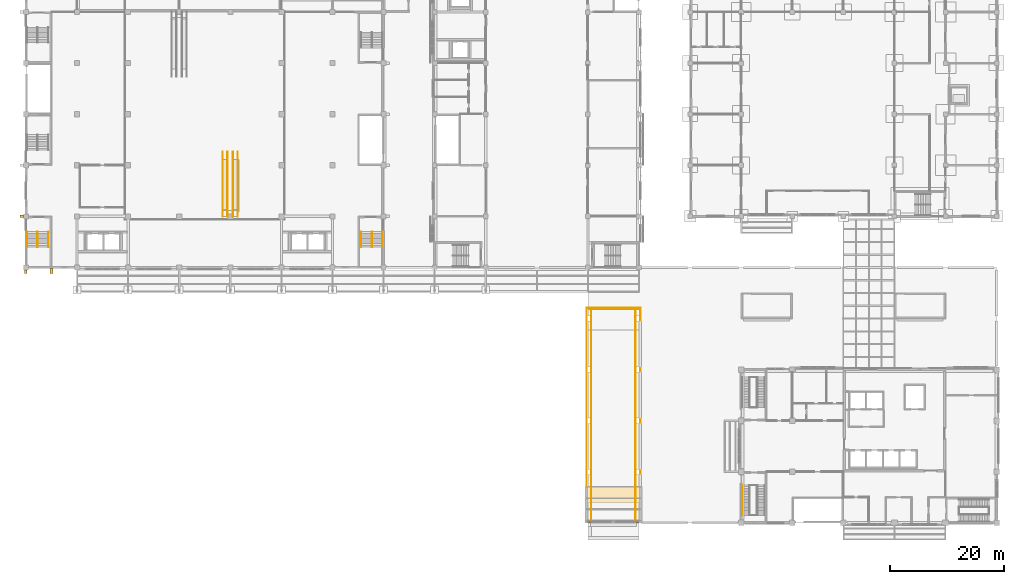
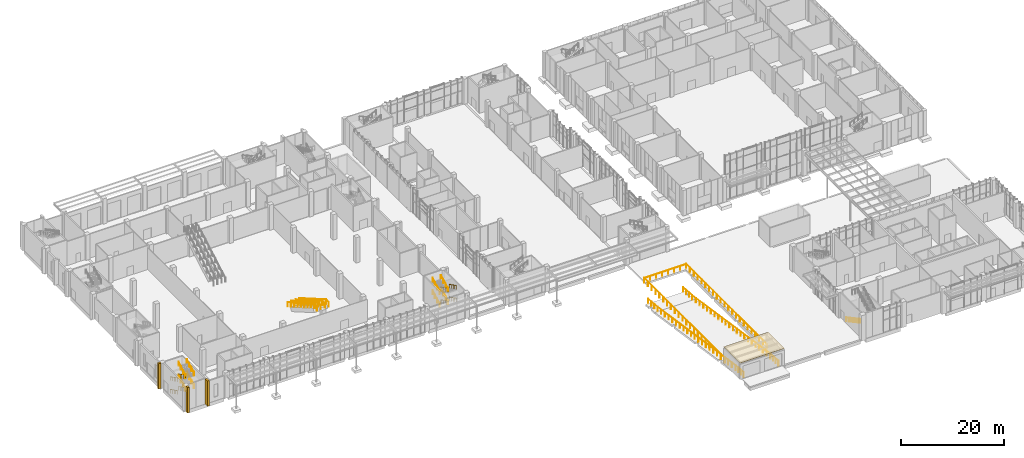
# One storey, part 77 of 86: 24 railings, 4 coverings.
"""IFC4 building model written with IfcOpenShell, lengths in metres."""

from ifc_helpers import new_model, si_unit, direction, frame, origin, origin_2d, place, context, subcontext, project, spatial, rectangle, circle, extrude, material, layer, layer_set, type_object, element, save


model = new_model("IFC4")

# Units and contexts
model_context = context("Model", 3, precision=1e-05, world=origin(), true_north=direction((0.0, 1.0)))
body_context = subcontext(model_context, "Body", "Model", "MODEL_VIEW")
ifc_project = project(units=[si_unit("LENGTHUNIT", "METRE"), si_unit("AREAUNIT", "SQUARE_METRE"), si_unit("VOLUMEUNIT", "CUBIC_METRE"), si_unit("PLANEANGLEUNIT", "RADIAN"), si_unit("MASSUNIT", "GRAM", prefix="KILO")], contexts=[model_context])

# Site, building, storey
site_placement = place(None, origin())
site = spatial("IfcSite", under=ifc_project, at=site_placement, CompositionType="ELEMENT")
building_placement = place(site_placement, origin())
building = spatial("IfcBuilding", under=site, at=building_placement, Name="Guidao Yard Department Store", CompositionType="ELEMENT")
storey_placement = place(building_placement, origin())
storey = spatial("IfcBuildingStorey", under=building, at=storey_placement, Name="L00", CompositionType="ELEMENT", Elevation=0.0)

# Covering
ifc_material_1 = material(Name="Steel Q235", Category="steel")
ifc_layer_1 = layer(ifc_material_1, 0.06005859375)
ifc_layer_set_1 = layer_set([ifc_layer_1], Name="Canopy roofing panel CR1 galvanised insulated metal deck 60")
covering_type_1 = type_object("IfcCoveringType", Name="Canopy roofing panel CR1 galvanised insulated metal deck 60", PredefinedType="ROOFING", material=ifc_layer_set_1)
covering_1_placement = place(storey_placement, frame((103.5, 3.199951171875, 3.89990234375), z_axis=(0.0, 0.0, 1.0), x_axis=(1.0, 0.0, 0.0)))
element("IfcCovering", 1, at=covering_1_placement, inside=storey, type_object=covering_type_1, Name="Ramp A canopy covering", PredefinedType="ROOFING", context=body_context, shape_type="SweptSolid", body=[
    extrude(rectangle(XDim=10.0, YDim=6.39990234375, at=origin_2d()), origin(), (0.0, 0.0, 1.0), 0.06005859375),
])

# Railings
ifc_material_2 = material(Name="Laminated glass", Category="glass")
railing_type_1 = type_object("IfcRailingType", Name="Escalator balustrade glass 1100", PredefinedType="BALUSTRADE", material=ifc_material_2)
for number, where, name in (
    (2, (34.679931640625, 65.39990234375, 0.0), "Escalator EH2 up balustrade"),
    (3, (35.52001953125, 65.39990234375, 0.0), "Escalator EH2 up balustrade"),
    (4, (36.47998046875, 65.39990234375, 0.0), "Escalator EH2 down balustrade"),
    (5, (37.320068359375, 65.39990234375, 0.0), "Escalator EH2 down balustrade"),
):
    element("IfcRailing", number, at=place(storey_placement, frame(where)), inside=storey, type_object=railing_type_1, Name=name, PredefinedType="BALUSTRADE", context=body_context, shape_type="SweptSolid", body=[
        extrude(circle(Radius=0.030029296875, at=origin_2d()), frame((0.0, 0.0, 1.070068359375), z_axis=(0.0, -0.866015837845, 0.500016568328), x_axis=(1.0, 0.0, 0.0)), (0.0, 0.0, 1.0), 11.99951171875),
        extrude(circle(Radius=0.030029296875, at=origin_2d()), frame((0.0, -10.391845703125, 7.070068359375), z_axis=(0.0, -1.0, 0.0), x_axis=(1.0, 0.0, 0.0)), (0.0, 0.0, 1.0), 1.008056640625),
        extrude(circle(Radius=0.02490234375, at=origin_2d()), origin(), (0.0, 0.0, 1.0), 1.0400390625),
        extrude(circle(Radius=0.02490234375, at=origin_2d()), frame((0.0, -1.299072265625, 0.75)), (0.0, 0.0, 1.0), 1.0400390625),
        extrude(circle(Radius=0.02490234375, at=origin_2d()), frame((0.0, -2.597900390625, 1.5)), (0.0, 0.0, 1.0), 1.0400390625),
        extrude(circle(Radius=0.02490234375, at=origin_2d()), frame((0.0, -3.89697265625, 2.25)), (0.0, 0.0, 1.0), 1.0400390625),
        extrude(circle(Radius=0.02490234375, at=origin_2d()), frame((0.0, -5.19580078125, 3.0)), (0.0, 0.0, 1.0), 1.0400390625),
        extrude(circle(Radius=0.02490234375, at=origin_2d()), frame((0.0, -6.494873046875, 3.75)), (0.0, 0.0, 1.0), 1.0400390625),
        extrude(circle(Radius=0.02490234375, at=origin_2d()), frame((0.0, -7.7939453125, 4.5)), (0.0, 0.0, 1.0), 1.0400390625),
        extrude(circle(Radius=0.02490234375, at=origin_2d()), frame((0.0, -9.0927734375, 5.25)), (0.0, 0.0, 1.0), 1.0400390625),
        extrude(circle(Radius=0.02490234375, at=origin_2d()), frame((0.0, -10.391845703125, 6.0)), (0.0, 0.0, 1.0), 1.0400390625),
        extrude(circle(Radius=0.02490234375, at=origin_2d()), frame((0.0, -11.39990234375, 6.0)), (0.0, 0.0, 1.0), 1.0400390625),
    ])
ifc_material_3 = material(Name="Steel Q235", Category="steel")
railing_type_2 = type_object("IfcRailingType", Name="Guard steel balustrade 1100", PredefinedType="GUARDRAIL", material=ifc_material_3)
railing_1_placement = place(storey_placement, frame((99.60009765625, 0.5, -0.03759765625)))
element("IfcRailing", 6, at=railing_1_placement, inside=storey, type_object=railing_type_2, Name="Car ramp A guard W", PredefinedType="GUARDRAIL", context=body_context, shape_type="SweptSolid", body=[
    extrude(circle(Radius=0.02392578125, at=origin_2d()), frame((0.0, 0.0, 1.076171875), z_axis=(0.0, 0.997201359452, -0.074762615703), x_axis=(-1.0, 0.0, 0.0)), (0.0, 0.0, 1.0), 3.10888671875),
    extrude(circle(Radius=0.02392578125, at=origin_2d()), frame((0.0, 3.10009765625, 0.84375), z_axis=(0.0, 0.988936003335, -0.148342783134), x_axis=(-1.0, 0.0, 0.0)), (0.0, 0.0, 1.0), 30.739990234375),
    extrude(circle(Radius=0.02392578125, at=origin_2d()), frame((0.0, 33.5, -3.71630859375), z_axis=(0.0, 0.997199057707, -0.074793310581), x_axis=(-1.0, 0.0, 0.0)), (0.0, 0.0, 1.0), 3.610107421875),
    extrude(circle(Radius=0.02099609375, at=origin_2d()), origin(), (0.0, 0.0, 1.0), 1.052001953125),
    extrude(circle(Radius=0.02099609375, at=origin_2d()), frame((0.0, 1.033447265625, -0.077392578125)), (0.0, 0.0, 1.0), 1.052001953125),
    extrude(circle(Radius=0.02099609375, at=origin_2d()), frame((0.0, 2.066650390625, -0.155029296875)), (0.0, 0.0, 1.0), 1.052001953125),
    extrude(circle(Radius=0.02099609375, at=origin_2d()), frame((0.0, 3.10009765625, -0.232421875)), (0.0, 0.0, 1.0), 1.052001953125),
    extrude(circle(Radius=0.02099609375, at=origin_2d()), frame((0.0, 4.547607421875, -0.449462890625)), (0.0, 0.0, 1.0), 1.052001953125),
    extrude(circle(Radius=0.02099609375, at=origin_2d()), frame((0.0, 5.995361328125, -0.666748046875)), (0.0, 0.0, 1.0), 1.052001953125),
    extrude(circle(Radius=0.02099609375, at=origin_2d()), frame((0.0, 7.44287109375, -0.8837890625)), (0.0, 0.0, 1.0), 1.052001953125),
    extrude(circle(Radius=0.02099609375, at=origin_2d()), frame((0.0, 8.890625, -1.10107421875)), (0.0, 0.0, 1.0), 1.052001953125),
    extrude(circle(Radius=0.02099609375, at=origin_2d()), frame((0.0, 10.338134765625, -1.318115234375)), (0.0, 0.0, 1.0), 1.052001953125),
    extrude(circle(Radius=0.02099609375, at=origin_2d()), frame((0.0, 11.785888671875, -1.535400390625)), (0.0, 0.0, 1.0), 1.052001953125),
    extrude(circle(Radius=0.02099609375, at=origin_2d()), frame((0.0, 13.2333984375, -1.75244140625)), (0.0, 0.0, 1.0), 1.052001953125),
    extrude(circle(Radius=0.02099609375, at=origin_2d()), frame((0.0, 14.680908203125, -1.969482421875)), (0.0, 0.0, 1.0), 1.052001953125),
    extrude(circle(Radius=0.02099609375, at=origin_2d()), frame((0.0, 16.128662109375, -2.186767578125)), (0.0, 0.0, 1.0), 1.052001953125),
    extrude(circle(Radius=0.02099609375, at=origin_2d()), frame((0.0, 17.576171875, -2.40380859375)), (0.0, 0.0, 1.0), 1.052001953125),
    extrude(circle(Radius=0.02099609375, at=origin_2d()), frame((0.0, 19.02392578125, -2.62109375)), (0.0, 0.0, 1.0), 1.052001953125),
    extrude(circle(Radius=0.02099609375, at=origin_2d()), frame((0.0, 20.471435546875, -2.838134765625)), (0.0, 0.0, 1.0), 1.052001953125),
    extrude(circle(Radius=0.02099609375, at=origin_2d()), frame((0.0, 21.919189453125, -3.055419921875)), (0.0, 0.0, 1.0), 1.052001953125),
    extrude(circle(Radius=0.02099609375, at=origin_2d()), frame((0.0, 23.36669921875, -3.2724609375)), (0.0, 0.0, 1.0), 1.052001953125),
    extrude(circle(Radius=0.02099609375, at=origin_2d()), frame((0.0, 24.814208984375, -3.489501953125)), (0.0, 0.0, 1.0), 1.052001953125),
    extrude(circle(Radius=0.02099609375, at=origin_2d()), frame((0.0, 26.261962890625, -3.706787109375)), (0.0, 0.0, 1.0), 1.052001953125),
    extrude(circle(Radius=0.02099609375, at=origin_2d()), frame((0.0, 27.70947265625, -3.923828125)), (0.0, 0.0, 1.0), 1.052001953125),
    extrude(circle(Radius=0.02099609375, at=origin_2d()), frame((0.0, 29.1572265625, -4.14111328125)), (0.0, 0.0, 1.0), 1.052001953125),
    extrude(circle(Radius=0.02099609375, at=origin_2d()), frame((0.0, 30.604736328125, -4.358154296875)), (0.0, 0.0, 1.0), 1.052001953125),
    extrude(circle(Radius=0.02099609375, at=origin_2d()), frame((0.0, 32.052490234375, -4.575439453125)), (0.0, 0.0, 1.0), 1.052001953125),
    extrude(circle(Radius=0.02099609375, at=origin_2d()), frame((0.0, 33.5, -4.79248046875)), (0.0, 0.0, 1.0), 1.052001953125),
    extrude(circle(Radius=0.02099609375, at=origin_2d()), frame((0.0, 34.699951171875, -4.882568359375)), (0.0, 0.0, 1.0), 1.052001953125),
    extrude(circle(Radius=0.02099609375, at=origin_2d()), frame((0.0, 35.900146484375, -4.972412109375)), (0.0, 0.0, 1.0), 1.052001953125),
    extrude(circle(Radius=0.02099609375, at=origin_2d()), frame((0.0, 37.10009765625, -5.0625)), (0.0, 0.0, 1.0), 1.052001953125),
])
railing_2_placement = place(storey_placement, frame((107.39990234375, 0.5, -0.03759765625)))
element("IfcRailing", 7, at=railing_2_placement, inside=storey, type_object=railing_type_2, Name="Car ramp A guard E", PredefinedType="GUARDRAIL", context=body_context, shape_type="SweptSolid", body=[
    extrude(circle(Radius=0.02392578125, at=origin_2d()), frame((0.0, 0.0, 1.076171875), z_axis=(0.0, 0.997201359452, -0.074762615703), x_axis=(-1.0, 0.0, 0.0)), (0.0, 0.0, 1.0), 3.10888671875),
    extrude(circle(Radius=0.02392578125, at=origin_2d()), frame((0.0, 3.10009765625, 0.84375), z_axis=(0.0, 0.988936003335, -0.148342783134), x_axis=(-1.0, 0.0, 0.0)), (0.0, 0.0, 1.0), 30.739990234375),
    extrude(circle(Radius=0.02392578125, at=origin_2d()), frame((0.0, 33.5, -3.71630859375), z_axis=(0.0, 0.997199057707, -0.074793310581), x_axis=(-1.0, 0.0, 0.0)), (0.0, 0.0, 1.0), 3.610107421875),
    extrude(circle(Radius=0.02099609375, at=origin_2d()), origin(), (0.0, 0.0, 1.0), 1.052001953125),
    extrude(circle(Radius=0.02099609375, at=origin_2d()), frame((0.0, 1.033447265625, -0.077392578125)), (0.0, 0.0, 1.0), 1.052001953125),
    extrude(circle(Radius=0.02099609375, at=origin_2d()), frame((0.0, 2.066650390625, -0.155029296875)), (0.0, 0.0, 1.0), 1.052001953125),
    extrude(circle(Radius=0.02099609375, at=origin_2d()), frame((0.0, 3.10009765625, -0.232421875)), (0.0, 0.0, 1.0), 1.052001953125),
    extrude(circle(Radius=0.02099609375, at=origin_2d()), frame((0.0, 4.547607421875, -0.449462890625)), (0.0, 0.0, 1.0), 1.052001953125),
    extrude(circle(Radius=0.02099609375, at=origin_2d()), frame((0.0, 5.995361328125, -0.666748046875)), (0.0, 0.0, 1.0), 1.052001953125),
    extrude(circle(Radius=0.02099609375, at=origin_2d()), frame((0.0, 7.44287109375, -0.8837890625)), (0.0, 0.0, 1.0), 1.052001953125),
    extrude(circle(Radius=0.02099609375, at=origin_2d()), frame((0.0, 8.890625, -1.10107421875)), (0.0, 0.0, 1.0), 1.052001953125),
    extrude(circle(Radius=0.02099609375, at=origin_2d()), frame((0.0, 10.338134765625, -1.318115234375)), (0.0, 0.0, 1.0), 1.052001953125),
    extrude(circle(Radius=0.02099609375, at=origin_2d()), frame((0.0, 11.785888671875, -1.535400390625)), (0.0, 0.0, 1.0), 1.052001953125),
    extrude(circle(Radius=0.02099609375, at=origin_2d()), frame((0.0, 13.2333984375, -1.75244140625)), (0.0, 0.0, 1.0), 1.052001953125),
    extrude(circle(Radius=0.02099609375, at=origin_2d()), frame((0.0, 14.680908203125, -1.969482421875)), (0.0, 0.0, 1.0), 1.052001953125),
    extrude(circle(Radius=0.02099609375, at=origin_2d()), frame((0.0, 16.128662109375, -2.186767578125)), (0.0, 0.0, 1.0), 1.052001953125),
    extrude(circle(Radius=0.02099609375, at=origin_2d()), frame((0.0, 17.576171875, -2.40380859375)), (0.0, 0.0, 1.0), 1.052001953125),
    extrude(circle(Radius=0.02099609375, at=origin_2d()), frame((0.0, 19.02392578125, -2.62109375)), (0.0, 0.0, 1.0), 1.052001953125),
    extrude(circle(Radius=0.02099609375, at=origin_2d()), frame((0.0, 20.471435546875, -2.838134765625)), (0.0, 0.0, 1.0), 1.052001953125),
    extrude(circle(Radius=0.02099609375, at=origin_2d()), frame((0.0, 21.919189453125, -3.055419921875)), (0.0, 0.0, 1.0), 1.052001953125),
    extrude(circle(Radius=0.02099609375, at=origin_2d()), frame((0.0, 23.36669921875, -3.2724609375)), (0.0, 0.0, 1.0), 1.052001953125),
    extrude(circle(Radius=0.02099609375, at=origin_2d()), frame((0.0, 24.814208984375, -3.489501953125)), (0.0, 0.0, 1.0), 1.052001953125),
    extrude(circle(Radius=0.02099609375, at=origin_2d()), frame((0.0, 26.261962890625, -3.706787109375)), (0.0, 0.0, 1.0), 1.052001953125),
    extrude(circle(Radius=0.02099609375, at=origin_2d()), frame((0.0, 27.70947265625, -3.923828125)), (0.0, 0.0, 1.0), 1.052001953125),
    extrude(circle(Radius=0.02099609375, at=origin_2d()), frame((0.0, 29.1572265625, -4.14111328125)), (0.0, 0.0, 1.0), 1.052001953125),
    extrude(circle(Radius=0.02099609375, at=origin_2d()), frame((0.0, 30.604736328125, -4.358154296875)), (0.0, 0.0, 1.0), 1.052001953125),
    extrude(circle(Radius=0.02099609375, at=origin_2d()), frame((0.0, 32.052490234375, -4.575439453125)), (0.0, 0.0, 1.0), 1.052001953125),
    extrude(circle(Radius=0.02099609375, at=origin_2d()), frame((0.0, 33.5, -4.79248046875)), (0.0, 0.0, 1.0), 1.052001953125),
    extrude(circle(Radius=0.02099609375, at=origin_2d()), frame((0.0, 34.699951171875, -4.882568359375)), (0.0, 0.0, 1.0), 1.052001953125),
    extrude(circle(Radius=0.02099609375, at=origin_2d()), frame((0.0, 35.900146484375, -4.972412109375)), (0.0, 0.0, 1.0), 1.052001953125),
    extrude(circle(Radius=0.02099609375, at=origin_2d()), frame((0.0, 37.10009765625, -5.0625)), (0.0, 0.0, 1.0), 1.052001953125),
])
railing_3_placement = place(storey_placement, frame((98.800048828125, 6.449951171875, 0.0)))
element("IfcRailing", 8, at=railing_3_placement, inside=storey, type_object=railing_type_2, Name="Guard ramp A L00", PredefinedType="GUARDRAIL", context=body_context, shape_type="SweptSolid", body=[
    extrude(circle(Radius=0.02392578125, at=origin_2d()), frame((0.0, 0.0, 1.076171875), z_axis=(0.0, 1.0, 0.0), x_axis=(-1.0, 0.0, 0.0)), (0.0, 0.0, 1.0), 31.400146484375),
    extrude(circle(Radius=0.02392578125, at=origin_2d()), frame((0.0, 31.400146484375, 1.076171875), z_axis=(1.0, 0.0, 0.0), x_axis=(0.0, 1.0, 0.0)), (0.0, 0.0, 1.0), 9.449951171875),
    extrude(circle(Radius=0.02392578125, at=origin_2d()), frame((9.449951171875, 31.400146484375, 1.076171875), z_axis=(0.0, -1.0, 0.0), x_axis=(1.0, 0.0, 0.0)), (0.0, 0.0, 1.0), 31.400146484375),
    extrude(circle(Radius=0.02099609375, at=origin_2d()), origin(), (0.0, 0.0, 1.0), 1.052001953125),
    extrude(circle(Radius=0.02099609375, at=origin_2d()), frame((0.0, 1.495361328125, 0.0)), (0.0, 0.0, 1.0), 1.052001953125),
    extrude(circle(Radius=0.02099609375, at=origin_2d()), frame((0.0, 2.990478515625, 0.0)), (0.0, 0.0, 1.0), 1.052001953125),
    extrude(circle(Radius=0.02099609375, at=origin_2d()), frame((0.0, 4.48583984375, 0.0)), (0.0, 0.0, 1.0), 1.052001953125),
    extrude(circle(Radius=0.02099609375, at=origin_2d()), frame((0.0, 5.98095703125, 0.0)), (0.0, 0.0, 1.0), 1.052001953125),
    extrude(circle(Radius=0.02099609375, at=origin_2d()), frame((0.0, 7.476318359375, 0.0)), (0.0, 0.0, 1.0), 1.052001953125),
    extrude(circle(Radius=0.02099609375, at=origin_2d()), frame((0.0, 8.971435546875, 0.0)), (0.0, 0.0, 1.0), 1.052001953125),
    extrude(circle(Radius=0.02099609375, at=origin_2d()), frame((0.0, 10.466796875, 0.0)), (0.0, 0.0, 1.0), 1.052001953125),
    extrude(circle(Radius=0.02099609375, at=origin_2d()), frame((0.0, 11.9619140625, 0.0)), (0.0, 0.0, 1.0), 1.052001953125),
    extrude(circle(Radius=0.02099609375, at=origin_2d()), frame((0.0, 13.457275390625, 0.0)), (0.0, 0.0, 1.0), 1.052001953125),
    extrude(circle(Radius=0.02099609375, at=origin_2d()), frame((0.0, 14.952392578125, 0.0)), (0.0, 0.0, 1.0), 1.052001953125),
    extrude(circle(Radius=0.02099609375, at=origin_2d()), frame((0.0, 16.44775390625, 0.0)), (0.0, 0.0, 1.0), 1.052001953125),
    extrude(circle(Radius=0.02099609375, at=origin_2d()), frame((0.0, 17.94287109375, 0.0)), (0.0, 0.0, 1.0), 1.052001953125),
    extrude(circle(Radius=0.02099609375, at=origin_2d()), frame((0.0, 19.438232421875, 0.0)), (0.0, 0.0, 1.0), 1.052001953125),
    extrude(circle(Radius=0.02099609375, at=origin_2d()), frame((0.0, 20.933349609375, 0.0)), (0.0, 0.0, 1.0), 1.052001953125),
    extrude(circle(Radius=0.02099609375, at=origin_2d()), frame((0.0, 22.4287109375, 0.0)), (0.0, 0.0, 1.0), 1.052001953125),
    extrude(circle(Radius=0.02099609375, at=origin_2d()), frame((0.0, 23.923828125, 0.0)), (0.0, 0.0, 1.0), 1.052001953125),
    extrude(circle(Radius=0.02099609375, at=origin_2d()), frame((0.0, 25.419189453125, 0.0)), (0.0, 0.0, 1.0), 1.052001953125),
    extrude(circle(Radius=0.02099609375, at=origin_2d()), frame((0.0, 26.914306640625, 0.0)), (0.0, 0.0, 1.0), 1.052001953125),
    extrude(circle(Radius=0.02099609375, at=origin_2d()), frame((0.0, 28.40966796875, 0.0)), (0.0, 0.0, 1.0), 1.052001953125),
    extrude(circle(Radius=0.02099609375, at=origin_2d()), frame((0.0, 29.90478515625, 0.0)), (0.0, 0.0, 1.0), 1.052001953125),
    extrude(circle(Radius=0.02099609375, at=origin_2d()), frame((0.0, 31.400146484375, 0.0)), (0.0, 0.0, 1.0), 1.052001953125),
    extrude(circle(Radius=0.02099609375, at=origin_2d()), frame((1.35009765625, 31.400146484375, 0.0)), (0.0, 0.0, 1.0), 1.052001953125),
    extrude(circle(Radius=0.02099609375, at=origin_2d()), frame((2.699951171875, 31.400146484375, 0.0)), (0.0, 0.0, 1.0), 1.052001953125),
    extrude(circle(Radius=0.02099609375, at=origin_2d()), frame((4.050048828125, 31.400146484375, 0.0)), (0.0, 0.0, 1.0), 1.052001953125),
    extrude(circle(Radius=0.02099609375, at=origin_2d()), frame((5.39990234375, 31.400146484375, 0.0)), (0.0, 0.0, 1.0), 1.052001953125),
    extrude(circle(Radius=0.02099609375, at=origin_2d()), frame((6.75, 31.400146484375, 0.0)), (0.0, 0.0, 1.0), 1.052001953125),
    extrude(circle(Radius=0.02099609375, at=origin_2d()), frame((8.099853515625, 31.400146484375, 0.0)), (0.0, 0.0, 1.0), 1.052001953125),
    extrude(circle(Radius=0.02099609375, at=origin_2d()), frame((9.449951171875, 31.400146484375, 0.0)), (0.0, 0.0, 1.0), 1.052001953125),
    extrude(circle(Radius=0.02099609375, at=origin_2d()), frame((9.449951171875, 29.90478515625, 0.0)), (0.0, 0.0, 1.0), 1.052001953125),
    extrude(circle(Radius=0.02099609375, at=origin_2d()), frame((9.449951171875, 28.40966796875, 0.0)), (0.0, 0.0, 1.0), 1.052001953125),
    extrude(circle(Radius=0.02099609375, at=origin_2d()), frame((9.449951171875, 26.914306640625, 0.0)), (0.0, 0.0, 1.0), 1.052001953125),
    extrude(circle(Radius=0.02099609375, at=origin_2d()), frame((9.449951171875, 25.419189453125, 0.0)), (0.0, 0.0, 1.0), 1.052001953125),
    extrude(circle(Radius=0.02099609375, at=origin_2d()), frame((9.449951171875, 23.923828125, 0.0)), (0.0, 0.0, 1.0), 1.052001953125),
    extrude(circle(Radius=0.02099609375, at=origin_2d()), frame((9.449951171875, 22.4287109375, 0.0)), (0.0, 0.0, 1.0), 1.052001953125),
    extrude(circle(Radius=0.02099609375, at=origin_2d()), frame((9.449951171875, 20.933349609375, 0.0)), (0.0, 0.0, 1.0), 1.052001953125),
    extrude(circle(Radius=0.02099609375, at=origin_2d()), frame((9.449951171875, 19.438232421875, 0.0)), (0.0, 0.0, 1.0), 1.052001953125),
    extrude(circle(Radius=0.02099609375, at=origin_2d()), frame((9.449951171875, 17.94287109375, 0.0)), (0.0, 0.0, 1.0), 1.052001953125),
    extrude(circle(Radius=0.02099609375, at=origin_2d()), frame((9.449951171875, 16.44775390625, 0.0)), (0.0, 0.0, 1.0), 1.052001953125),
    extrude(circle(Radius=0.02099609375, at=origin_2d()), frame((9.449951171875, 14.952392578125, 0.0)), (0.0, 0.0, 1.0), 1.052001953125),
    extrude(circle(Radius=0.02099609375, at=origin_2d()), frame((9.449951171875, 13.457275390625, 0.0)), (0.0, 0.0, 1.0), 1.052001953125),
    extrude(circle(Radius=0.02099609375, at=origin_2d()), frame((9.449951171875, 11.9619140625, 0.0)), (0.0, 0.0, 1.0), 1.052001953125),
    extrude(circle(Radius=0.02099609375, at=origin_2d()), frame((9.449951171875, 10.466796875, 0.0)), (0.0, 0.0, 1.0), 1.052001953125),
    extrude(circle(Radius=0.02099609375, at=origin_2d()), frame((9.449951171875, 8.971435546875, 0.0)), (0.0, 0.0, 1.0), 1.052001953125),
    extrude(circle(Radius=0.02099609375, at=origin_2d()), frame((9.449951171875, 7.476318359375, 0.0)), (0.0, 0.0, 1.0), 1.052001953125),
    extrude(circle(Radius=0.02099609375, at=origin_2d()), frame((9.449951171875, 5.98095703125, 0.0)), (0.0, 0.0, 1.0), 1.052001953125),
    extrude(circle(Radius=0.02099609375, at=origin_2d()), frame((9.449951171875, 4.48583984375, 0.0)), (0.0, 0.0, 1.0), 1.052001953125),
    extrude(circle(Radius=0.02099609375, at=origin_2d()), frame((9.449951171875, 2.990478515625, 0.0)), (0.0, 0.0, 1.0), 1.052001953125),
    extrude(circle(Radius=0.02099609375, at=origin_2d()), frame((9.449951171875, 1.495361328125, 0.0)), (0.0, 0.0, 1.0), 1.052001953125),
    extrude(circle(Radius=0.02099609375, at=origin_2d()), frame((9.449951171875, 0.0, 0.0)), (0.0, 0.0, 1.0), 1.052001953125),
])
ifc_material_4 = material(Name="Steel Q235", Category="steel")
railing_type_3 = type_object("IfcRailingType", Name="Handrail steel tube 48", PredefinedType="HANDRAIL", material=ifc_material_4)
for number, where, name in (
    (9, (62.81494140625, 51.300048828125, 0.14990234375), "Stair A2 hand rail L00 9"),
    (10, (60.949951171875, 51.300048828125, 0.14990234375), "Stair A2 hand rail L00 10"),
):
    element("IfcRailing", number, at=place(storey_placement, frame(where)), inside=storey, type_object=railing_type_3, Name=name, PredefinedType="HANDRAIL", context=body_context, shape_type="SweptSolid", body=[
        extrude(circle(Radius=0.02392578125, at=origin_2d()), frame((0.0, 0.0, 0.8759765625), z_axis=(0.0, -0.894411015155, 0.447245945728), x_axis=(1.0, 0.0, 0.0)), (0.0, 0.0, 1.0), 3.018798828125),
        extrude(circle(Radius=0.02099609375, at=origin_2d()), origin(), (0.0, 0.0, 1.0), 0.851806640625),
        extrude(circle(Radius=0.02099609375, at=origin_2d()), frame((0.0, -0.89990234375, 0.449951171875)), (0.0, 0.0, 1.0), 0.851806640625),
        extrude(circle(Radius=0.02099609375, at=origin_2d()), frame((0.0, -1.800048828125, 0.900146484375)), (0.0, 0.0, 1.0), 0.851806640625),
        extrude(circle(Radius=0.02099609375, at=origin_2d()), frame((0.0, -2.699951171875, 1.35009765625)), (0.0, 0.0, 1.0), 0.851806640625),
    ])
for number, where, name in (
    (11, (59.0849609375, 48.60009765625, 1.64990234375), "Stair A2 hand rail L00 11"),
    (12, (60.949951171875, 48.60009765625, 1.64990234375), "Stair A2 hand rail L00 12"),
):
    element("IfcRailing", number, at=place(storey_placement, frame(where)), inside=storey, type_object=railing_type_3, Name=name, PredefinedType="HANDRAIL", context=body_context, shape_type="SweptSolid", body=[
        extrude(circle(Radius=0.02392578125, at=origin_2d()), frame((0.0, 0.0, 0.8759765625), z_axis=(0.0, 0.894411015155, 0.447245945728), x_axis=(-1.0, 0.0, 0.0)), (0.0, 0.0, 1.0), 3.018798828125),
        extrude(circle(Radius=0.02099609375, at=origin_2d()), origin(), (0.0, 0.0, 1.0), 0.851806640625),
        extrude(circle(Radius=0.02099609375, at=origin_2d()), frame((0.0, 0.89990234375, 0.449951171875)), (0.0, 0.0, 1.0), 0.851806640625),
        extrude(circle(Radius=0.02099609375, at=origin_2d()), frame((0.0, 1.800048828125, 0.900146484375)), (0.0, 0.0, 1.0), 0.851806640625),
        extrude(circle(Radius=0.02099609375, at=origin_2d()), frame((0.0, 2.699951171875, 1.35009765625)), (0.0, 0.0, 1.0), 0.851806640625),
    ])
for number, where, name in (
    (13, (62.81494140625, 51.300048828125, 3.14990234375), "Stair A2 hand rail L00 13"),
    (14, (60.949951171875, 51.300048828125, 3.14990234375), "Stair A2 hand rail L00 14"),
):
    element("IfcRailing", number, at=place(storey_placement, frame(where)), inside=storey, type_object=railing_type_3, Name=name, PredefinedType="HANDRAIL", context=body_context, shape_type="SweptSolid", body=[
        extrude(circle(Radius=0.02392578125, at=origin_2d()), frame((0.0, 0.0, 0.8759765625), z_axis=(0.0, -0.894411015155, 0.447245945728), x_axis=(1.0, 0.0, 0.0)), (0.0, 0.0, 1.0), 3.018798828125),
        extrude(circle(Radius=0.02099609375, at=origin_2d()), origin(), (0.0, 0.0, 1.0), 0.851806640625),
        extrude(circle(Radius=0.02099609375, at=origin_2d()), frame((0.0, -0.89990234375, 0.449951171875)), (0.0, 0.0, 1.0), 0.851806640625),
        extrude(circle(Radius=0.02099609375, at=origin_2d()), frame((0.0, -1.800048828125, 0.900146484375)), (0.0, 0.0, 1.0), 0.851806640625),
        extrude(circle(Radius=0.02099609375, at=origin_2d()), frame((0.0, -2.699951171875, 1.35009765625)), (0.0, 0.0, 1.0), 0.851806640625),
    ])
for number, where, name in (
    (15, (59.0849609375, 48.60009765625, 4.64990234375), "Stair A2 hand rail L00 15"),
    (16, (60.949951171875, 48.60009765625, 4.64990234375), "Stair A2 hand rail L00 16"),
):
    element("IfcRailing", number, at=place(storey_placement, frame(where)), inside=storey, type_object=railing_type_3, Name=name, PredefinedType="HANDRAIL", context=body_context, shape_type="SweptSolid", body=[
        extrude(circle(Radius=0.02392578125, at=origin_2d()), frame((0.0, 0.0, 0.8759765625), z_axis=(0.0, 0.894411015155, 0.447245945728), x_axis=(-1.0, 0.0, 0.0)), (0.0, 0.0, 1.0), 3.018798828125),
        extrude(circle(Radius=0.02099609375, at=origin_2d()), origin(), (0.0, 0.0, 1.0), 0.851806640625),
        extrude(circle(Radius=0.02099609375, at=origin_2d()), frame((0.0, 0.89990234375, 0.449951171875)), (0.0, 0.0, 1.0), 0.851806640625),
        extrude(circle(Radius=0.02099609375, at=origin_2d()), frame((0.0, 1.800048828125, 0.900146484375)), (0.0, 0.0, 1.0), 0.851806640625),
        extrude(circle(Radius=0.02099609375, at=origin_2d()), frame((0.0, 2.699951171875, 1.35009765625)), (0.0, 0.0, 1.0), 0.851806640625),
    ])
for number, where, name in (
    (17, (0.18505859375, 51.300048828125, 0.14990234375), "Stair A8 hand rail L00 49"),
    (18, (2.050048828125, 51.300048828125, 0.14990234375), "Stair A8 hand rail L00 50"),
):
    element("IfcRailing", number, at=place(storey_placement, frame(where)), inside=storey, type_object=railing_type_3, Name=name, PredefinedType="HANDRAIL", context=body_context, shape_type="SweptSolid", body=[
        extrude(circle(Radius=0.02392578125, at=origin_2d()), frame((0.0, 0.0, 0.8759765625), z_axis=(0.0, -0.894411015155, 0.447245945728), x_axis=(1.0, 0.0, 0.0)), (0.0, 0.0, 1.0), 3.018798828125),
        extrude(circle(Radius=0.02099609375, at=origin_2d()), origin(), (0.0, 0.0, 1.0), 0.851806640625),
        extrude(circle(Radius=0.02099609375, at=origin_2d()), frame((0.0, -0.89990234375, 0.449951171875)), (0.0, 0.0, 1.0), 0.851806640625),
        extrude(circle(Radius=0.02099609375, at=origin_2d()), frame((0.0, -1.800048828125, 0.900146484375)), (0.0, 0.0, 1.0), 0.851806640625),
        extrude(circle(Radius=0.02099609375, at=origin_2d()), frame((0.0, -2.699951171875, 1.35009765625)), (0.0, 0.0, 1.0), 0.851806640625),
    ])
for number, where, name in (
    (19, (3.9150390625, 48.60009765625, 1.64990234375), "Stair A8 hand rail L00 51"),
    (20, (2.050048828125, 48.60009765625, 1.64990234375), "Stair A8 hand rail L00 52"),
):
    element("IfcRailing", number, at=place(storey_placement, frame(where)), inside=storey, type_object=railing_type_3, Name=name, PredefinedType="HANDRAIL", context=body_context, shape_type="SweptSolid", body=[
        extrude(circle(Radius=0.02392578125, at=origin_2d()), frame((0.0, 0.0, 0.8759765625), z_axis=(0.0, 0.894411015155, 0.447245945728), x_axis=(-1.0, 0.0, 0.0)), (0.0, 0.0, 1.0), 3.018798828125),
        extrude(circle(Radius=0.02099609375, at=origin_2d()), origin(), (0.0, 0.0, 1.0), 0.851806640625),
        extrude(circle(Radius=0.02099609375, at=origin_2d()), frame((0.0, 0.89990234375, 0.449951171875)), (0.0, 0.0, 1.0), 0.851806640625),
        extrude(circle(Radius=0.02099609375, at=origin_2d()), frame((0.0, 1.800048828125, 0.900146484375)), (0.0, 0.0, 1.0), 0.851806640625),
        extrude(circle(Radius=0.02099609375, at=origin_2d()), frame((0.0, 2.699951171875, 1.35009765625)), (0.0, 0.0, 1.0), 0.851806640625),
    ])
for number, where, name in (
    (21, (0.18505859375, 51.300048828125, 3.14990234375), "Stair A8 hand rail L00 53"),
    (22, (2.050048828125, 51.300048828125, 3.14990234375), "Stair A8 hand rail L00 54"),
):
    element("IfcRailing", number, at=place(storey_placement, frame(where)), inside=storey, type_object=railing_type_3, Name=name, PredefinedType="HANDRAIL", context=body_context, shape_type="SweptSolid", body=[
        extrude(circle(Radius=0.02392578125, at=origin_2d()), frame((0.0, 0.0, 0.8759765625), z_axis=(0.0, -0.894411015155, 0.447245945728), x_axis=(1.0, 0.0, 0.0)), (0.0, 0.0, 1.0), 3.018798828125),
        extrude(circle(Radius=0.02099609375, at=origin_2d()), origin(), (0.0, 0.0, 1.0), 0.851806640625),
        extrude(circle(Radius=0.02099609375, at=origin_2d()), frame((0.0, -0.89990234375, 0.449951171875)), (0.0, 0.0, 1.0), 0.851806640625),
        extrude(circle(Radius=0.02099609375, at=origin_2d()), frame((0.0, -1.800048828125, 0.900146484375)), (0.0, 0.0, 1.0), 0.851806640625),
        extrude(circle(Radius=0.02099609375, at=origin_2d()), frame((0.0, -2.699951171875, 1.35009765625)), (0.0, 0.0, 1.0), 0.851806640625),
    ])
for number, where, name in (
    (23, (3.9150390625, 48.60009765625, 4.64990234375), "Stair A8 hand rail L00 55"),
    (24, (2.050048828125, 48.60009765625, 4.64990234375), "Stair A8 hand rail L00 56"),
):
    element("IfcRailing", number, at=place(storey_placement, frame(where)), inside=storey, type_object=railing_type_3, Name=name, PredefinedType="HANDRAIL", context=body_context, shape_type="SweptSolid", body=[
        extrude(circle(Radius=0.02392578125, at=origin_2d()), frame((0.0, 0.0, 0.8759765625), z_axis=(0.0, 0.894411015155, 0.447245945728), x_axis=(-1.0, 0.0, 0.0)), (0.0, 0.0, 1.0), 3.018798828125),
        extrude(circle(Radius=0.02099609375, at=origin_2d()), origin(), (0.0, 0.0, 1.0), 0.851806640625),
        extrude(circle(Radius=0.02099609375, at=origin_2d()), frame((0.0, 0.89990234375, 0.449951171875)), (0.0, 0.0, 1.0), 0.851806640625),
        extrude(circle(Radius=0.02099609375, at=origin_2d()), frame((0.0, 1.800048828125, 0.900146484375)), (0.0, 0.0, 1.0), 0.851806640625),
        extrude(circle(Radius=0.02099609375, at=origin_2d()), frame((0.0, 2.699951171875, 1.35009765625)), (0.0, 0.0, 1.0), 0.851806640625),
    ])
railing_4_placement = place(storey_placement, frame((126.18505859375, 6.64990234375, 0.14990234375)))
element("IfcRailing", 25, at=railing_4_placement, inside=storey, type_object=railing_type_3, Name="Stair O1 hand rail L00 113", PredefinedType="HANDRAIL", context=body_context, shape_type="SweptSolid", body=[
    extrude(circle(Radius=0.02392578125, at=origin_2d()), frame((0.0, 0.0, 0.8759765625), z_axis=(0.0, -0.881466739329, 0.472246108991), x_axis=(1.0, 0.0, 0.0)), (0.0, 0.0, 1.0), 6.03515625),
    extrude(circle(Radius=0.02099609375, at=origin_2d()), origin(), (0.0, 0.0, 1.0), 0.851806640625),
    extrude(circle(Radius=0.02099609375, at=origin_2d()), frame((0.0, -0.88671875, 0.47509765625)), (0.0, 0.0, 1.0), 0.851806640625),
    extrude(circle(Radius=0.02099609375, at=origin_2d()), frame((0.0, -1.773193359375, 0.949951171875)), (0.0, 0.0, 1.0), 0.851806640625),
    extrude(circle(Radius=0.02099609375, at=origin_2d()), frame((0.0, -2.659912109375, 1.425048828125)), (0.0, 0.0, 1.0), 0.851806640625),
    extrude(circle(Radius=0.02099609375, at=origin_2d()), frame((0.0, -3.546630859375, 1.900146484375)), (0.0, 0.0, 1.0), 0.851806640625),
    extrude(circle(Radius=0.02099609375, at=origin_2d()), frame((0.0, -4.43310546875, 2.375)), (0.0, 0.0, 1.0), 0.851806640625),
    extrude(circle(Radius=0.02099609375, at=origin_2d()), frame((0.0, -5.31982421875, 2.85009765625)), (0.0, 0.0, 1.0), 0.851806640625),
])

# Coverings
ifc_material_5 = material(Name="Precast concrete C40/50", Category="concrete")
ifc_layer_2 = layer(ifc_material_5, 0.449951171875)
ifc_layer_set_2 = layer_set([ifc_layer_2], Name="Precast fin FN1 board-formed concrete")
covering_type_2 = type_object("IfcCoveringType", Name="Precast fin FN1 board-formed concrete", PredefinedType="CLADDING", material=ifc_layer_set_2)
covering_2_placement = place(storey_placement, frame((0.0, 44.25, 0.0), z_axis=(0.0, 0.0, 1.0), x_axis=(-1.0, 0.0, 0.0)))
element("IfcCovering", 26, at=covering_2_placement, inside=storey, type_object=covering_type_2, Name="Precast fin", PredefinedType="CLADDING", context=body_context, shape_type="SweptSolid", body=[
    extrude(rectangle(XDim=0.449951171875, YDim=0.60009765625, at=origin_2d()), origin(), (0.0, 0.0, 1.0), 6.0),
])
covering_3_placement = place(storey_placement, frame((4.5, 44.39990234375, 0.0), z_axis=(0.0, 0.0, 1.0), x_axis=(-1.0, 0.0, 0.0)))
element("IfcCovering", 27, at=covering_3_placement, inside=storey, type_object=covering_type_2, Name="Precast fin", PredefinedType="CLADDING", context=body_context, shape_type="SweptSolid", body=[
    extrude(rectangle(XDim=0.449951171875, YDim=0.89990234375, at=origin_2d()), origin(), (0.0, 0.0, 1.0), 6.0),
])
covering_4_placement = place(storey_placement, frame((-0.75, 54.0, 0.0), z_axis=(0.0, 0.0, 1.0), x_axis=(0.0, 1.0, 0.0)))
element("IfcCovering", 28, at=covering_4_placement, inside=storey, type_object=covering_type_2, Name="Precast fin", PredefinedType="CLADDING", context=body_context, shape_type="SweptSolid", body=[
    extrude(rectangle(XDim=0.449951171875, YDim=0.60009765625, at=origin_2d()), origin(), (0.0, 0.0, 1.0), 6.0),
])

save(model, "model.ifc")
